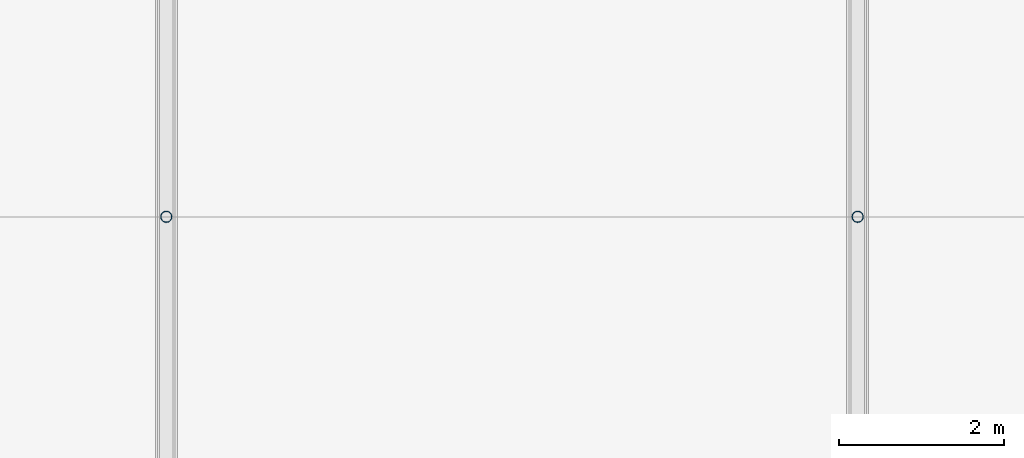
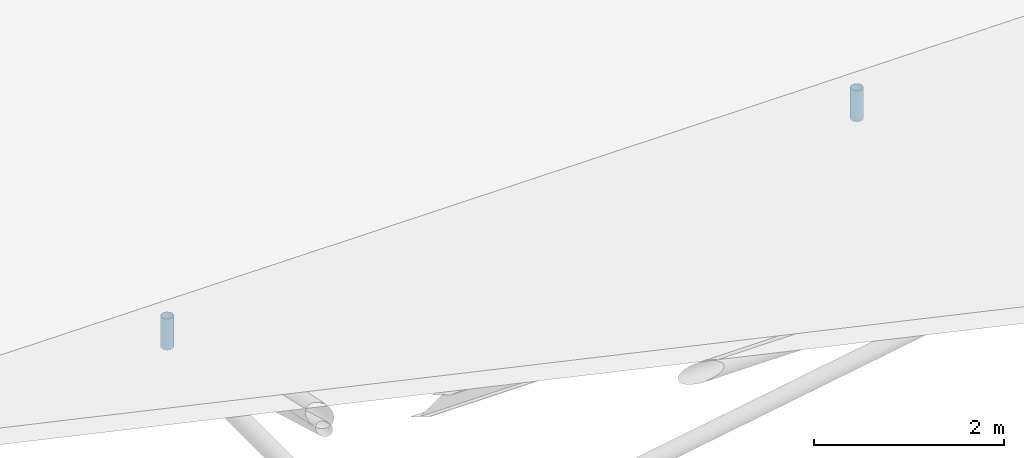
# One storey, part 145 of 194: 2 members.
"""IFC4 building model written with IfcOpenShell, lengths in metres."""

from ifc_helpers import new_model, si_unit, direction, frame, origin, origin_2d, place, context, subcontext, project, spatial, hollow_circle, extrude, material, material_profile, profile_set, type_object, element, save


model = new_model("IFC4")

# Units and contexts
model_context = context("Model", 3, precision=1e-05, world=origin(), true_north=direction((0.0, 1.0)))
body_context = subcontext(model_context, "Body", "Model", "MODEL_VIEW")
ifc_project = project(units=[si_unit("LENGTHUNIT", "METRE"), si_unit("AREAUNIT", "SQUARE_METRE"), si_unit("VOLUMEUNIT", "CUBIC_METRE"), si_unit("PLANEANGLEUNIT", "RADIAN"), si_unit("MASSUNIT", "GRAM", prefix="KILO")], contexts=[model_context])

# Site, building, storey
site_placement = place(None, origin())
site = spatial("IfcSite", under=ifc_project, at=site_placement, CompositionType="ELEMENT")
building_placement = place(site_placement, origin())
building = spatial("IfcBuilding", under=site, at=building_placement, Name="Kazenagashi Tramway Depot", CompositionType="ELEMENT")
storey_placement = place(building_placement, frame((0.0, 0.0, 23.7)))
storey = spatial("IfcBuildingStorey", under=building, at=storey_placement, Name="ROOF", CompositionType="ELEMENT", Elevation=23.7)

# Members
ifc_material = material(Name="Steel STK490", Category="steel")
ifc_material_profile = material_profile(ifc_material, hollow_circle(Radius=0.0699, WallThickness=0.0066, at=origin_2d()), Name="CHS-139.8x6.6")
ifc_profile_set = profile_set([ifc_material_profile], Name="Steel STK490")
member_type = type_object("IfcMemberType", Name="TS-02", PredefinedType="STRUT", material=ifc_profile_set)
for number, where, z_axis, x_axis, name in (
    (1, (179.2, 100.0, -14.1), (0.0, 0.0, 1.0), (1.0, 0.0, 0.0), "Tubular Space Frame TS-02 MEM-1001"),
    (2, (187.6, 100.0, -14.1), (0.0, 0.0, 1.0), (1.0, 0.0, 0.0), "Tubular Space Frame TS-02 MEM-1062"),
):
    element("IfcMember", number, at=place(storey_placement, frame(where, z_axis=z_axis, x_axis=x_axis)), inside=storey, type_object=member_type, Name=name, PredefinedType="STRUT", context=body_context, shape_type="SweptSolid", body=[
        extrude(hollow_circle(Radius=0.0699, WallThickness=0.0066, at=origin_2d()), origin(), (0.0, 0.0, 1.0), 0.4),
    ])

save(model, "model.ifc")
